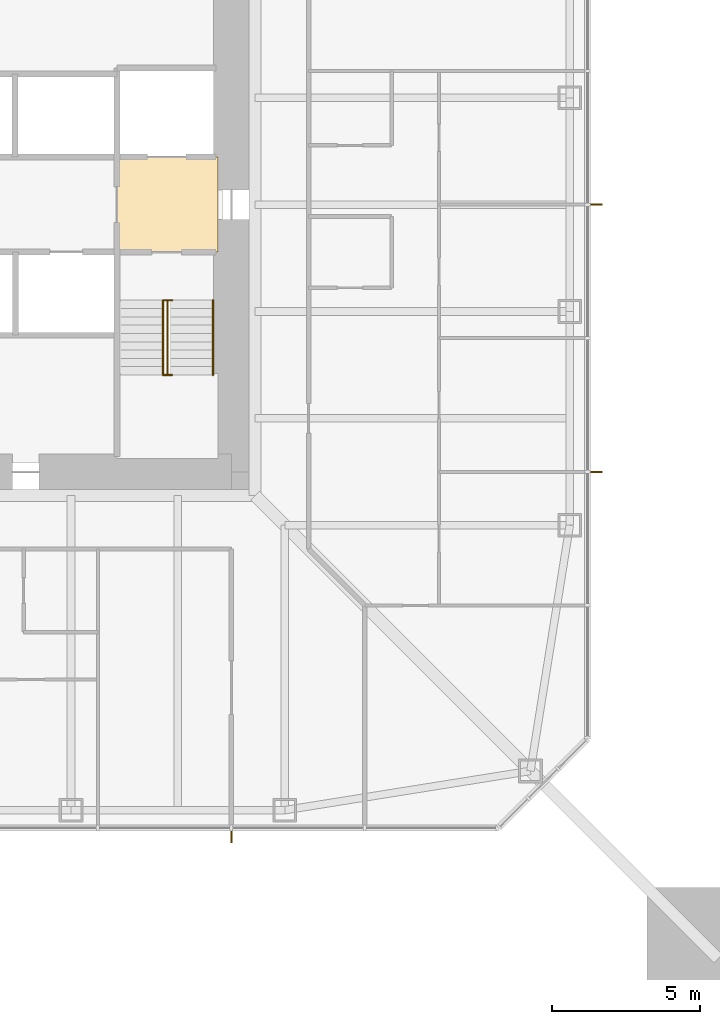
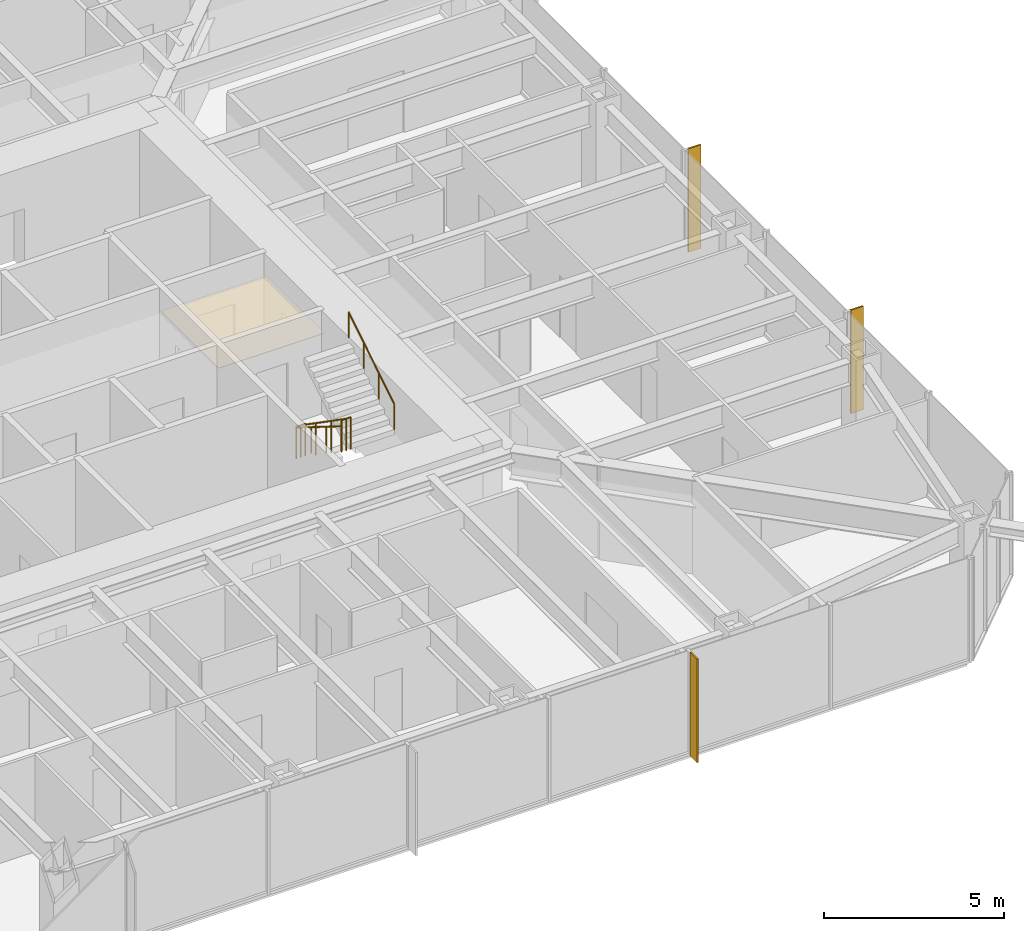
# One storey, part 21 of 23: 3 railings, 3 shading devices, 1 covering.
"""IFC4 building model written with IfcOpenShell, lengths in metres."""

from ifc_helpers import new_model, si_unit, direction, frame, origin, origin_2d, place, context, subcontext, project, spatial, polyline, rectangle, circle, outline, extrude, material, layer, layer_set, constituent, constituent_set, type_object, element, save


model = new_model("IFC4")

# Units and contexts
model_context = context("Model", 3, precision=1e-05, world=origin(), true_north=direction((0.0, 1.0)))
body_context = subcontext(model_context, "Body", "Model", "MODEL_VIEW")
ifc_project = project(units=[si_unit("LENGTHUNIT", "METRE"), si_unit("AREAUNIT", "SQUARE_METRE"), si_unit("VOLUMEUNIT", "CUBIC_METRE"), si_unit("PLANEANGLEUNIT", "RADIAN"), si_unit("MASSUNIT", "GRAM", prefix="KILO")], contexts=[model_context])

# Site, building, storey
site_placement = place(None, origin())
site = spatial("IfcSite", under=ifc_project, at=site_placement, CompositionType="ELEMENT")
building_placement = place(site_placement, origin())
building = spatial("IfcBuilding", under=site, at=building_placement, Name="Iwan Alto Co-Living Towers", CompositionType="ELEMENT")
storey_placement = place(building_placement, frame((0.0, 0.0, 122.5)))
storey = spatial("IfcBuildingStorey", under=building, at=storey_placement, Name="L33", CompositionType="ELEMENT", Elevation=122.5)

# Covering
ifc_material_1 = material(Name="Mineral fibre acoustic tiles on steel grid", Category="steel")
ifc_layer_1 = layer(ifc_material_1, 0.02001953125)
ifc_layer_set_1 = layer_set([ifc_layer_1], Name="ACOUSTIC TILE CEILING 20")
covering_type = type_object("IfcCoveringType", Name="ACOUSTIC TILE CEILING 20", PredefinedType="CEILING", material=ifc_layer_set_1)
covering_placement = place(storey_placement, frame((0.0, 0.0, 2.60009765625)))
element("IfcCovering", 1, at=covering_placement, inside=storey, type_object=covering_type, Name="Ceiling Firefighting lobby L33", PredefinedType="CEILING", context=body_context, shape_type="SweptSolid", body=[
    extrude(outline(polyline([(5.14990234375, -1.60009765625), (5.14990234375, 1.60009765625), (8.550048828125, 1.60009765625), (8.550048828125, -1.60009765625), (5.14990234375, -1.60009765625)])), origin(), (0.0, 0.0, 1.0), 0.02001953125),
])

# Shading devices
ifc_material_2 = material(Name="Aluminium 6063-T6 bronze anodised", Category="aluminium")
ifc_layer_2 = layer(ifc_material_2, 0.050048828125)
ifc_layer_set_2 = layer_set([ifc_layer_2], Name="BRONZE FIN 50X400")
shading_device_type = type_object("IfcShadingDeviceType", Name="BRONZE FIN 50X400", PredefinedType="USERDEFINED", material=ifc_layer_set_2)
for number, where, z_axis, x_axis, name in (
    (2, (9.0, -21.300048828125, 0.0), (0.0, 0.0, 1.0), (1.0, 0.0, 0.0), "Bronze fin L33"),
    (3, (21.300048828125, -9.0, 0.0), (0.0, 0.0, 1.0), (0.0, 1.0, 0.0), "Bronze fin L33"),
    (4, (21.300048828125, 0.0, 0.0), (0.0, 0.0, 1.0), (0.0, 1.0, 0.0), "Bronze fin L33"),
):
    element("IfcShadingDevice", number, at=place(storey_placement, frame(where, z_axis=z_axis, x_axis=x_axis)), inside=storey, type_object=shading_device_type, Name=name, ObjectType="LOUVER", PredefinedType="USERDEFINED", context=body_context, shape_type="SweptSolid", body=[
        extrude(rectangle(XDim=0.050048828125, YDim=0.39990234375, at=origin_2d()), origin(), (0.0, 0.0, 1.0), 3.5),
    ])

# Railings
ifc_material_3 = material(Name="Steel ASTM A500 Gr C", Category="steel")
ifc_constituent_1 = constituent(ifc_material_3, Name="Rails and posts", Category="Framing")
ifc_material_4 = material(Name="Steel ASTM A36", Category="steel")
ifc_constituent_2 = constituent(ifc_material_4, Name="Bar infill", Category="Infill")
ifc_constituent_set = constituent_set(constituents=[ifc_constituent_1, ifc_constituent_2], Name="STAIR GUARD 1100")
railing_type_1 = type_object("IfcRailingType", Name="STAIR GUARD 1100", PredefinedType="GUARDRAIL", material=ifc_constituent_set)
railing_1_placement = place(storey_placement, frame((6.85009765625, -3.219970703125, 0.0)))
element("IfcRailing", 5, at=railing_1_placement, inside=storey, type_object=railing_type_1, Name="Stair T1-S2 well guard L33", PredefinedType="GUARDRAIL", context=body_context, shape_type="SweptSolid", body=[
    extrude(circle(Radius=0.02392578125, at=origin_2d()), frame((0.0, 0.0, 1.076171875), z_axis=(0.0, -0.821372036852, 0.570392826987), x_axis=(1.0, 0.0, 0.0)), (0.0, 0.0, 1.0), 3.068115234375),
    extrude(circle(Radius=0.02392578125, at=origin_2d()), frame((-0.150146484375, 0.0, 1.076171875), z_axis=(1.0, 0.0, 0.0), x_axis=(0.0, 1.0, 0.0)), (0.0, 0.0, 1.0), 0.300048828125),
    extrude(circle(Radius=0.02392578125, at=origin_2d()), frame((-0.150146484375, -2.52001953125, 2.826171875), z_axis=(1.0, 0.0, 0.0), x_axis=(0.0, 1.0, 0.0)), (0.0, 0.0, 1.0), 0.300048828125),
    extrude(circle(Radius=0.02099609375, at=origin_2d()), origin(), (0.0, 0.0, 1.0), 1.052001953125),
    extrude(circle(Radius=0.02099609375, at=origin_2d()), frame((0.0, -0.840087890625, 0.583251953125)), (0.0, 0.0, 1.0), 1.052001953125),
    extrude(circle(Radius=0.02099609375, at=origin_2d()), frame((0.0, -1.679931640625, 1.166748046875)), (0.0, 0.0, 1.0), 1.052001953125),
    extrude(circle(Radius=0.02099609375, at=origin_2d()), frame((0.0, -2.52001953125, 1.75)), (0.0, 0.0, 1.0), 1.052001953125),
    extrude(circle(Radius=0.02099609375, at=origin_2d()), frame((-0.150146484375, 0.0, 0.0)), (0.0, 0.0, 1.0), 1.052001953125),
    extrude(circle(Radius=0.02099609375, at=origin_2d()), frame((0.14990234375, 0.0, 0.0)), (0.0, 0.0, 1.0), 1.052001953125),
    extrude(circle(Radius=0.02099609375, at=origin_2d()), frame((-0.150146484375, -2.52001953125, 1.75)), (0.0, 0.0, 1.0), 1.052001953125),
    extrude(circle(Radius=0.02099609375, at=origin_2d()), frame((0.14990234375, -2.52001953125, 1.75)), (0.0, 0.0, 1.0), 1.052001953125),
])
ifc_material_5 = material(Name="Steel ASTM A500 Gr C", Category="steel")
railing_type_2 = type_object("IfcRailingType", Name="STAIR HANDRAIL 900", PredefinedType="HANDRAIL", material=ifc_material_5)
railing_2_placement = place(storey_placement, frame((6.699951171875, -3.219970703125, 0.175048828125)))
element("IfcRailing", 6, at=railing_2_placement, inside=storey, type_object=railing_type_2, Name="Stair T1-S2 handrail 1 L33", PredefinedType="HANDRAIL", context=body_context, shape_type="SweptSolid", body=[
    extrude(circle(Radius=0.02392578125, at=origin_2d()), frame((0.0, 0.0, 0.8759765625), z_axis=(0.0, -0.848007534815, 0.529984170421), x_axis=(1.0, 0.0, 0.0)), (0.0, 0.0, 1.0), 2.9716796875),
    extrude(circle(Radius=0.02099609375, at=origin_2d()), origin(), (0.0, 0.0, 1.0), 0.851806640625),
    extrude(circle(Radius=0.02099609375, at=origin_2d()), frame((0.0, -0.840087890625, 0.52490234375)), (0.0, 0.0, 1.0), 0.851806640625),
    extrude(circle(Radius=0.02099609375, at=origin_2d()), frame((0.0, -1.679931640625, 1.050048828125)), (0.0, 0.0, 1.0), 0.851806640625),
    extrude(circle(Radius=0.02099609375, at=origin_2d()), frame((0.0, -2.52001953125, 1.574951171875)), (0.0, 0.0, 1.0), 0.851806640625),
])
railing_3_placement = place(storey_placement, frame((8.3798828125, -5.739990234375, 1.925048828125)))
element("IfcRailing", 7, at=railing_3_placement, inside=storey, type_object=railing_type_2, Name="Stair T1-S2 handrail 2 L33", PredefinedType="HANDRAIL", context=body_context, shape_type="SweptSolid", body=[
    extrude(circle(Radius=0.02392578125, at=origin_2d()), frame((0.0, 0.0, 0.8759765625), z_axis=(0.0, 0.848007534815, 0.529984170421), x_axis=(-1.0, 0.0, 0.0)), (0.0, 0.0, 1.0), 2.9716796875),
    extrude(circle(Radius=0.02099609375, at=origin_2d()), origin(), (0.0, 0.0, 1.0), 0.851806640625),
    extrude(circle(Radius=0.02099609375, at=origin_2d()), frame((0.0, 0.840087890625, 0.52490234375)), (0.0, 0.0, 1.0), 0.851806640625),
    extrude(circle(Radius=0.02099609375, at=origin_2d()), frame((0.0, 1.679931640625, 1.050048828125)), (0.0, 0.0, 1.0), 0.851806640625),
    extrude(circle(Radius=0.02099609375, at=origin_2d()), frame((0.0, 2.52001953125, 1.574951171875)), (0.0, 0.0, 1.0), 0.851806640625),
])

save(model, "model.ifc")
